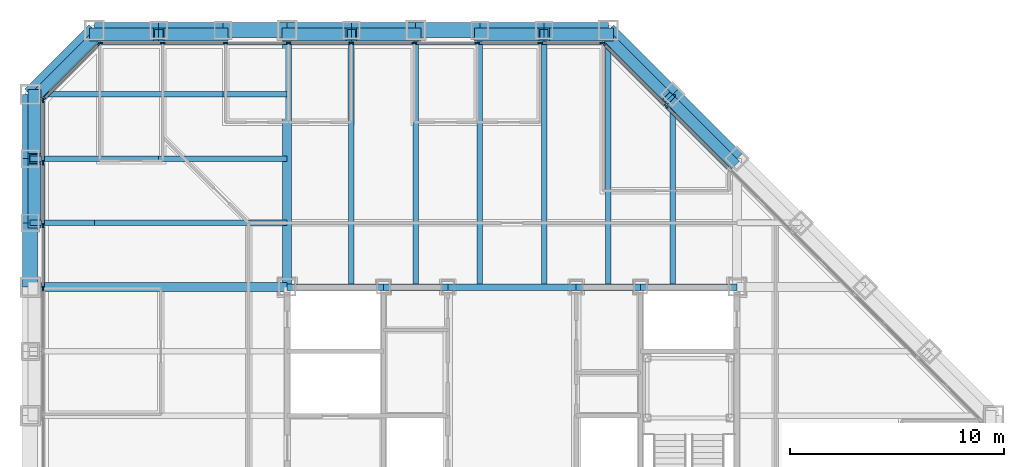
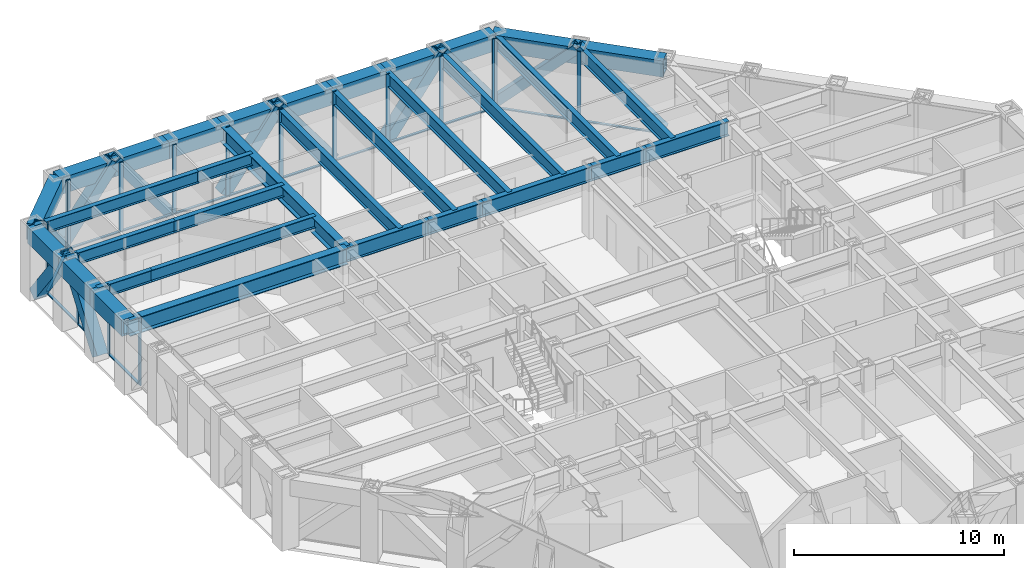
# One storey, part 7 of 17: 42 members, 33 beams, 4 elements without a shape of their own.
"""IFC4 building model written with IfcOpenShell, lengths in metres."""

from ifc_helpers import new_model, si_unit, direction, frame, origin, origin_2d, place, context, subcontext, project, spatial, rectangle, hollow_rectangle, i_section, extrude, material, layer, layer_set, material_profile, profile_set, type_object, element, aggregate, save


model = new_model("IFC4")

# Units and contexts
model_context = context("Model", 3, precision=1e-05, world=origin(), true_north=direction((0.0, 1.0)))
body_context = subcontext(model_context, "Body", "Model", "MODEL_VIEW")
ifc_project = project(units=[si_unit("LENGTHUNIT", "METRE"), si_unit("AREAUNIT", "SQUARE_METRE"), si_unit("VOLUMEUNIT", "CUBIC_METRE"), si_unit("PLANEANGLEUNIT", "RADIAN"), si_unit("MASSUNIT", "GRAM", prefix="KILO")], contexts=[model_context])

# Site, building, storey
site_placement = place(None, origin())
site = spatial("IfcSite", under=ifc_project, at=site_placement, CompositionType="ELEMENT")
building_placement = place(site_placement, origin())
building = spatial("IfcBuilding", under=site, at=building_placement, Name="Chuquiago Exchange Tower", CompositionType="ELEMENT")
storey_placement = place(building_placement, frame((0.0, 0.0, 169.800048828125)))
storey = spatial("IfcBuildingStorey", under=building, at=storey_placement, Name="L37", CompositionType="ELEMENT", Elevation=169.800048828125)

# Beams
ifc_material_1 = material(Name="Steel ASTM A992", Category="steel")
ifc_material_profile_1 = material_profile(ifc_material_1, i_section(OverallWidth=0.2919921875, OverallDepth=0.8583984375, WebThickness=0.01708984375, FlangeThickness=0.031005859375, at=origin_2d()), Name="W33X169")
ifc_profile_set_1 = profile_set([ifc_material_profile_1], Name="Steel ASTM A992")
beam_type_1 = type_object("IfcBeamType", Name="B3 W33X169", PredefinedType="BEAM", material=ifc_profile_set_1)
beam_1_placement = place(storey_placement, frame((12.0, 33.0, 3.610595703125), z_axis=(1.0, 0.0, 0.0), x_axis=(0.0, 1.0, 0.0)))
element("IfcBeam", 1, at=beam_1_placement, inside=storey, type_object=beam_type_1, Name="CB-L38-12_33-16.5_33", PredefinedType="BEAM", context=body_context, shape_type="SweptSolid", body=[
    extrude(i_section(OverallWidth=0.2919921875, OverallDepth=0.8583984375, WebThickness=0.01708984375, FlangeThickness=0.031005859375, at=origin_2d()), origin(), (0.0, 0.0, 1.0), 4.5),
])
beam_2_placement = place(storey_placement, frame((16.5, 33.0, 3.610595703125), z_axis=(1.0, 0.0, 0.0), x_axis=(0.0, 1.0, 0.0)))
element("IfcBeam", 2, at=beam_2_placement, inside=storey, type_object=beam_type_1, Name="CB-L38-16.5_33-19.5_33", PredefinedType="BEAM", context=body_context, shape_type="SweptSolid", body=[
    extrude(i_section(OverallWidth=0.2919921875, OverallDepth=0.8583984375, WebThickness=0.01708984375, FlangeThickness=0.031005859375, at=origin_2d()), origin(), (0.0, 0.0, 1.0), 3.0),
])
beam_3_placement = place(storey_placement, frame((19.5, 33.0, 3.610595703125), z_axis=(1.0, 0.0, 0.0), x_axis=(0.0, 1.0, 0.0)))
element("IfcBeam", 3, at=beam_3_placement, inside=storey, type_object=beam_type_1, Name="CB-L38-19.5_33-25.5_33", PredefinedType="BEAM", context=body_context, shape_type="SweptSolid", body=[
    extrude(i_section(OverallWidth=0.2919921875, OverallDepth=0.8583984375, WebThickness=0.01708984375, FlangeThickness=0.031005859375, at=origin_2d()), origin(), (0.0, 0.0, 1.0), 6.0),
])
beam_4_placement = place(storey_placement, frame((25.5, 33.0, 3.610595703125), z_axis=(1.0, 0.0, 0.0), x_axis=(0.0, 1.0, 0.0)))
element("IfcBeam", 4, at=beam_4_placement, inside=storey, type_object=beam_type_1, Name="CB-L38-25.5_33-28.5_33", PredefinedType="BEAM", context=body_context, shape_type="SweptSolid", body=[
    extrude(i_section(OverallWidth=0.2919921875, OverallDepth=0.8583984375, WebThickness=0.01708984375, FlangeThickness=0.031005859375, at=origin_2d()), origin(), (0.0, 0.0, 1.0), 3.0),
])
beam_5_placement = place(storey_placement, frame((28.5, 33.0, 3.610595703125), z_axis=(1.0, 0.0, 0.0), x_axis=(0.0, 1.0, 0.0)))
element("IfcBeam", 5, at=beam_5_placement, inside=storey, type_object=beam_type_1, Name="CB-L38-28.5_33-33_33", PredefinedType="BEAM", context=body_context, shape_type="SweptSolid", body=[
    extrude(i_section(OverallWidth=0.2919921875, OverallDepth=0.8583984375, WebThickness=0.01708984375, FlangeThickness=0.031005859375, at=origin_2d()), origin(), (0.0, 0.0, 1.0), 4.5),
])
ifc_material_2 = material(Name="Steel ASTM A992", Category="steel")
ifc_material_profile_2 = material_profile(ifc_material_2, i_section(OverallWidth=0.2666015625, OverallDepth=0.761962890625, WebThickness=0.014404296875, FlangeThickness=0.021484375, at=origin_2d()), Name="W30X116")
ifc_profile_set_2 = profile_set([ifc_material_profile_2], Name="Steel ASTM A992")
beam_type_2 = type_object("IfcBeamType", Name="B8 W30X116", PredefinedType="BEAM", material=ifc_profile_set_2)
for number, where, z_axis, x_axis, name in (
    (6, (15.0, 33.0, 3.658935546875), (0.0, 1.0, 0.0), (-1.0, 0.0, 0.0), "FB-L38-infill-15_33-15_45-0"),
    (7, (18.0, 33.0, 3.658935546875), (0.0, 1.0, 0.0), (-1.0, 0.0, 0.0), "FB-L38-infill-18_33-18_45-0"),
    (8, (21.0, 33.0, 3.658935546875), (0.0, 1.0, 0.0), (-1.0, 0.0, 0.0), "FB-L38-infill-21_33-21_45-0"),
    (9, (24.0, 33.0, 3.658935546875), (0.0, 1.0, 0.0), (-1.0, 0.0, 0.0), "FB-L38-infill-24_33-24_45-0"),
    (10, (27.0, 33.0, 3.658935546875), (0.0, 1.0, 0.0), (-1.0, 0.0, 0.0), "FB-L38-infill-27_33-27_45-0"),
):
    element("IfcBeam", number, at=place(storey_placement, frame(where, z_axis=z_axis, x_axis=x_axis)), inside=storey, type_object=beam_type_2, Name=name, PredefinedType="BEAM", context=body_context, shape_type="SweptSolid", body=[
        extrude(i_section(OverallWidth=0.2666015625, OverallDepth=0.761962890625, WebThickness=0.014404296875, FlangeThickness=0.021484375, at=origin_2d()), origin(), (0.0, 0.0, 1.0), 12.0),
    ])
beam_6_placement = place(storey_placement, frame((30.0, 33.0, 3.658935546875), z_axis=(0.0, 1.0, 0.0), x_axis=(-1.0, 0.0, 0.0)))
element("IfcBeam", 11, at=beam_6_placement, inside=storey, type_object=beam_type_2, Name="FB-L38-infill-30_33-30_42-0", PredefinedType="BEAM", context=body_context, shape_type="SweptSolid", body=[
    extrude(i_section(OverallWidth=0.2666015625, OverallDepth=0.761962890625, WebThickness=0.014404296875, FlangeThickness=0.021484375, at=origin_2d()), origin(), (0.0, 0.0, 1.0), 9.0),
])
ifc_material_3 = material(Name="Steel ASTM A992", Category="steel")
ifc_material_profile_3 = material_profile(ifc_material_3, i_section(OverallWidth=0.256591796875, OverallDepth=0.693359375, WebThickness=0.014404296875, FlangeThickness=0.023681640625, at=origin_2d()), Name="W27X114")
ifc_profile_set_3 = profile_set([ifc_material_profile_3], Name="Steel ASTM A992")
beam_type_3 = type_object("IfcBeamType", Name="B9 W27X114", PredefinedType="BEAM", material=ifc_profile_set_3)
beam_7_placement = place(storey_placement, frame((12.0, 36.0, 3.693359375), z_axis=(-1.0, 0.0, 0.0), x_axis=(0.0, -1.0, 0.0)))
element("IfcBeam", 12, at=beam_7_placement, inside=storey, type_object=beam_type_3, Name="FB-L38-corner-12_36--0_36-0", PredefinedType="BEAM", context=body_context, shape_type="SweptSolid", body=[
    extrude(i_section(OverallWidth=0.256591796875, OverallDepth=0.693359375, WebThickness=0.014404296875, FlangeThickness=0.023681640625, at=origin_2d()), origin(), (0.0, 0.0, 1.0), 9.0),
])
beam_8_placement = place(storey_placement, frame((3.0, 36.0, 3.693359375), z_axis=(-1.0, 0.0, 0.0), x_axis=(0.0, -1.0, 0.0)))
element("IfcBeam", 13, at=beam_8_placement, inside=storey, type_object=beam_type_3, Name="FB-L38-corner-12_36--0_36-1", PredefinedType="BEAM", context=body_context, shape_type="SweptSolid", body=[
    extrude(i_section(OverallWidth=0.256591796875, OverallDepth=0.693359375, WebThickness=0.014404296875, FlangeThickness=0.023681640625, at=origin_2d()), origin(), (0.0, 0.0, 1.0), 3.0),
])
for number, where, z_axis, x_axis, name in (
    (14, (12.0, 39.0, 3.693359375), (-1.0, 0.0, 0.0), (0.0, -1.0, 0.0), "FB-L38-corner-12_39--0_39-0"),
    (15, (6.0, 39.0, 3.693359375), (-1.0, 0.0, 0.0), (0.0, -1.0, 0.0), "FB-L38-corner-12_39--0_39-1"),
):
    element("IfcBeam", number, at=place(storey_placement, frame(where, z_axis=z_axis, x_axis=x_axis)), inside=storey, type_object=beam_type_3, Name=name, PredefinedType="BEAM", context=body_context, shape_type="SweptSolid", body=[
        extrude(i_section(OverallWidth=0.256591796875, OverallDepth=0.693359375, WebThickness=0.014404296875, FlangeThickness=0.023681640625, at=origin_2d()), origin(), (0.0, 0.0, 1.0), 6.0),
    ])
beam_9_placement = place(storey_placement, frame((12.0, 42.0, 3.693359375), z_axis=(-1.0, 0.0, 0.0), x_axis=(0.0, -1.0, 0.0)))
element("IfcBeam", 16, at=beam_9_placement, inside=storey, type_object=beam_type_3, Name="FB-L38-corner-12_42--0_42-0", PredefinedType="BEAM", context=body_context, shape_type="SweptSolid", body=[
    extrude(i_section(OverallWidth=0.256591796875, OverallDepth=0.693359375, WebThickness=0.014404296875, FlangeThickness=0.023681640625, at=origin_2d()), origin(), (0.0, 0.0, 1.0), 3.0),
])
beam_10_placement = place(storey_placement, frame((9.0, 42.0, 3.693359375), z_axis=(-1.0, 0.0, 0.0), x_axis=(0.0, -1.0, 0.0)))
element("IfcBeam", 17, at=beam_10_placement, inside=storey, type_object=beam_type_3, Name="FB-L38-corner-12_42--0_42-1", PredefinedType="BEAM", context=body_context, shape_type="SweptSolid", body=[
    extrude(i_section(OverallWidth=0.256591796875, OverallDepth=0.693359375, WebThickness=0.014404296875, FlangeThickness=0.023681640625, at=origin_2d()), origin(), (0.0, 0.0, 1.0), 9.0),
])

# Curtain wall, members
ifc_material_4 = material(Name="Aluminium curtain wall system", Category="aluminium")
ifc_layer_1 = layer(ifc_material_4, 0.22509765625)
ifc_layer_set_1 = layer_set([ifc_layer_1], Name="CW2 office curtain wall")
curtain_wall_type_1 = type_object("IfcCurtainWallType", Name="CW2 office curtain wall", PredefinedType="NOTDEFINED", material=ifc_layer_set_1)
curtain_wall_1_placement = place(storey_placement, origin())
curtain_wall_1 = element("IfcCurtainWall", 18, at=curtain_wall_1_placement, inside=storey, type_object=curtain_wall_type_1, Name="CW2 curtain wall L37", PredefinedType="NOTDEFINED")
ifc_material_5 = material(Name="Aluminium mullion, pale anodised", Category="aluminium")
ifc_material_profile_4 = material_profile(ifc_material_5, rectangle(XDim=0.06494140625, YDim=0.22509765625, at=origin_2d()), Name="AL 65x225")
ifc_profile_set_4 = profile_set([ifc_material_profile_4], Name="Aluminium mullion, pale anodised")
member_type_1 = type_object("IfcMemberType", Name="CW2-M mullion 65x225", PredefinedType="MULLION", material=ifc_profile_set_4)
member_1_placement = place(storey_placement, frame((26.718994140625, 44.39990234375, 0.0), z_axis=(0.0, 0.0, 1.0), x_axis=(0.0, -1.0, 0.0)))
member_1 = element("IfcMember", 19, at=member_1_placement, type_object=member_type_1, Name="CW2 mullion 1", PredefinedType="MULLION", context=body_context, shape_type="SweptSolid", body=[
    extrude(rectangle(XDim=0.06494140625, YDim=0.22509765625, at=origin_2d()), origin(), (0.0, 0.0, 1.0), 4.0400390625),
])
member_2_placement = place(storey_placement, frame((23.813720703125, 44.39990234375, 0.0), z_axis=(0.0, 0.0, 1.0), x_axis=(0.0, -1.0, 0.0)))
member_2 = element("IfcMember", 20, at=member_2_placement, type_object=member_type_1, Name="CW2 mullion 2", PredefinedType="MULLION", context=body_context, shape_type="SweptSolid", body=[
    extrude(rectangle(XDim=0.06494140625, YDim=0.22509765625, at=origin_2d()), origin(), (0.0, 0.0, 1.0), 4.0400390625),
])
member_3_placement = place(storey_placement, frame((20.875732421875, 44.39990234375, 0.0), z_axis=(0.0, 0.0, 1.0), x_axis=(0.0, -1.0, 0.0)))
member_3 = element("IfcMember", 21, at=member_3_placement, type_object=member_type_1, Name="CW2 mullion 3", PredefinedType="MULLION", context=body_context, shape_type="SweptSolid", body=[
    extrude(rectangle(XDim=0.06494140625, YDim=0.22509765625, at=origin_2d()), origin(), (0.0, 0.0, 1.0), 4.0400390625),
])
member_4_placement = place(storey_placement, frame((17.93798828125, 44.39990234375, 0.0), z_axis=(0.0, 0.0, 1.0), x_axis=(0.0, -1.0, 0.0)))
member_4 = element("IfcMember", 22, at=member_4_placement, type_object=member_type_1, Name="CW2 mullion 4", PredefinedType="MULLION", context=body_context, shape_type="SweptSolid", body=[
    extrude(rectangle(XDim=0.06494140625, YDim=0.22509765625, at=origin_2d()), origin(), (0.0, 0.0, 1.0), 4.0400390625),
])
member_5_placement = place(storey_placement, frame((15.0, 44.39990234375, 0.0), z_axis=(0.0, 0.0, 1.0), x_axis=(0.0, -1.0, 0.0)))
member_5 = element("IfcMember", 23, at=member_5_placement, type_object=member_type_1, Name="CW2 mullion 5", PredefinedType="MULLION", context=body_context, shape_type="SweptSolid", body=[
    extrude(rectangle(XDim=0.06494140625, YDim=0.22509765625, at=origin_2d()), origin(), (0.0, 0.0, 1.0), 4.0400390625),
])
member_6_placement = place(storey_placement, frame((12.06201171875, 44.39990234375, 0.0), z_axis=(0.0, 0.0, 1.0), x_axis=(0.0, -1.0, 0.0)))
member_6 = element("IfcMember", 24, at=member_6_placement, type_object=member_type_1, Name="CW2 mullion 6", PredefinedType="MULLION", context=body_context, shape_type="SweptSolid", body=[
    extrude(rectangle(XDim=0.06494140625, YDim=0.22509765625, at=origin_2d()), origin(), (0.0, 0.0, 1.0), 4.0400390625),
])
member_7_placement = place(storey_placement, frame((9.124267578125, 44.39990234375, 0.0), z_axis=(0.0, 0.0, 1.0), x_axis=(0.0, -1.0, 0.0)))
member_7 = element("IfcMember", 25, at=member_7_placement, type_object=member_type_1, Name="CW2 mullion 7", PredefinedType="MULLION", context=body_context, shape_type="SweptSolid", body=[
    extrude(rectangle(XDim=0.06494140625, YDim=0.22509765625, at=origin_2d()), origin(), (0.0, 0.0, 1.0), 4.0400390625),
])
member_8_placement = place(storey_placement, frame((6.186279296875, 44.39990234375, 0.0), z_axis=(0.0, 0.0, 1.0), x_axis=(0.0, -1.0, 0.0)))
member_8 = element("IfcMember", 26, at=member_8_placement, type_object=member_type_1, Name="CW2 mullion 8", PredefinedType="MULLION", context=body_context, shape_type="SweptSolid", body=[
    extrude(rectangle(XDim=0.06494140625, YDim=0.22509765625, at=origin_2d()), origin(), (0.0, 0.0, 1.0), 4.0400390625),
])
member_9_placement = place(storey_placement, frame((3.281005859375, 44.39990234375, 0.0), z_axis=(0.0, 0.0, 1.0), x_axis=(0.0, -1.0, 0.0)))
member_9 = element("IfcMember", 27, at=member_9_placement, type_object=member_type_1, Name="CW2 mullion 9", PredefinedType="MULLION", context=body_context, shape_type="SweptSolid", body=[
    extrude(rectangle(XDim=0.06494140625, YDim=0.22509765625, at=origin_2d()), origin(), (0.0, 0.0, 1.0), 4.0400390625),
])

curtain_wall_2_placement = place(storey_placement, origin())
curtain_wall_2 = element("IfcCurtainWall", 28, at=curtain_wall_2_placement, inside=storey, type_object=curtain_wall_type_1, Name="CW2 curtain wall L37", PredefinedType="NOTDEFINED")
member_10_placement = place(storey_placement, frame((0.60009765625, 41.718994140625, 0.0), z_axis=(0.0, 0.0, 1.0), x_axis=(1.0, 0.0, 0.0)))
member_10 = element("IfcMember", 29, at=member_10_placement, type_object=member_type_1, Name="CW2 mullion 1", PredefinedType="MULLION", context=body_context, shape_type="SweptSolid", body=[
    extrude(rectangle(XDim=0.06494140625, YDim=0.22509765625, at=origin_2d()), origin(), (0.0, 0.0, 1.0), 4.0400390625),
])
member_11_placement = place(storey_placement, frame((0.60009765625, 38.813720703125, 0.0), z_axis=(0.0, 0.0, 1.0), x_axis=(1.0, 0.0, 0.0)))
member_11 = element("IfcMember", 30, at=member_11_placement, type_object=member_type_1, Name="CW2 mullion 2", PredefinedType="MULLION", context=body_context, shape_type="SweptSolid", body=[
    extrude(rectangle(XDim=0.06494140625, YDim=0.22509765625, at=origin_2d()), origin(), (0.0, 0.0, 1.0), 4.0400390625),
])
member_12_placement = place(storey_placement, frame((0.60009765625, 35.875732421875, 0.0), z_axis=(0.0, 0.0, 1.0), x_axis=(1.0, 0.0, 0.0)))
member_12 = element("IfcMember", 31, at=member_12_placement, type_object=member_type_1, Name="CW2 mullion 3", PredefinedType="MULLION", context=body_context, shape_type="SweptSolid", body=[
    extrude(rectangle(XDim=0.06494140625, YDim=0.22509765625, at=origin_2d()), origin(), (0.0, 0.0, 1.0), 4.0400390625),
])
member_13_placement = place(storey_placement, frame((0.60009765625, 32.93798828125, 0.0), z_axis=(0.0, 0.0, 1.0), x_axis=(1.0, 0.0, 0.0)))
member_13 = element("IfcMember", 32, at=member_13_placement, type_object=member_type_1, Name="CW2 mullion 4", PredefinedType="MULLION", context=body_context, shape_type="SweptSolid", body=[
    extrude(rectangle(XDim=0.06494140625, YDim=0.22509765625, at=origin_2d()), origin(), (0.0, 0.0, 1.0), 4.0400390625),
])

# Member
ifc_material_6 = material(Name="Aluminium transom, pale anodised", Category="aluminium")
ifc_material_profile_5 = material_profile(ifc_material_6, rectangle(XDim=0.139892578125, YDim=0.06494140625, at=origin_2d()), Name="AL 140x65")
ifc_profile_set_5 = profile_set([ifc_material_profile_5], Name="Aluminium transom, pale anodised")
member_type_2 = type_object("IfcMemberType", Name="CW2-T transom 65x140", PredefinedType="MULLION", material=ifc_profile_set_5)
member_14_placement = place(storey_placement, frame((26.6865234375, 44.39990234375, 0.032470703125), z_axis=(-1.0, 0.0, 0.0), x_axis=(0.0, -1.0, 0.0)))
member_14 = element("IfcMember", 33, at=member_14_placement, type_object=member_type_2, Name="CW2 transom 1.1", PredefinedType="MULLION", context=body_context, shape_type="SweptSolid", body=[
    extrude(rectangle(XDim=0.139892578125, YDim=0.06494140625, at=origin_2d()), origin(), (0.0, 0.0, 1.0), 2.84033203125),
])

member_15_placement = place(storey_placement, frame((23.781005859375, 44.39990234375, 0.032470703125), z_axis=(-1.0, 0.0, 0.0), x_axis=(0.0, -1.0, 0.0)))
member_15 = element("IfcMember", 34, at=member_15_placement, type_object=member_type_2, Name="CW2 transom 2.1", PredefinedType="MULLION", context=body_context, shape_type="SweptSolid", body=[
    extrude(rectangle(XDim=0.139892578125, YDim=0.06494140625, at=origin_2d()), origin(), (0.0, 0.0, 1.0), 2.872802734375),
])

member_16_placement = place(storey_placement, frame((20.84326171875, 44.39990234375, 0.032470703125), z_axis=(-1.0, 0.0, 0.0), x_axis=(0.0, -1.0, 0.0)))
member_16 = element("IfcMember", 35, at=member_16_placement, type_object=member_type_2, Name="CW2 transom 3.1", PredefinedType="MULLION", context=body_context, shape_type="SweptSolid", body=[
    extrude(rectangle(XDim=0.139892578125, YDim=0.06494140625, at=origin_2d()), origin(), (0.0, 0.0, 1.0), 2.872802734375),
])

member_17_placement = place(storey_placement, frame((17.9052734375, 44.39990234375, 0.032470703125), z_axis=(-1.0, 0.0, 0.0), x_axis=(0.0, -1.0, 0.0)))
member_17 = element("IfcMember", 36, at=member_17_placement, type_object=member_type_2, Name="CW2 transom 4.1", PredefinedType="MULLION", context=body_context, shape_type="SweptSolid", body=[
    extrude(rectangle(XDim=0.139892578125, YDim=0.06494140625, at=origin_2d()), origin(), (0.0, 0.0, 1.0), 2.872802734375),
])

member_18_placement = place(storey_placement, frame((14.967529296875, 44.39990234375, 0.032470703125), z_axis=(-1.0, 0.0, 0.0), x_axis=(0.0, -1.0, 0.0)))
member_18 = element("IfcMember", 37, at=member_18_placement, type_object=member_type_2, Name="CW2 transom 5.1", PredefinedType="MULLION", context=body_context, shape_type="SweptSolid", body=[
    extrude(rectangle(XDim=0.139892578125, YDim=0.06494140625, at=origin_2d()), origin(), (0.0, 0.0, 1.0), 2.872802734375),
])

member_19_placement = place(storey_placement, frame((12.029541015625, 44.39990234375, 0.032470703125), z_axis=(-1.0, 0.0, 0.0), x_axis=(0.0, -1.0, 0.0)))
member_19 = element("IfcMember", 38, at=member_19_placement, type_object=member_type_2, Name="CW2 transom 6.1", PredefinedType="MULLION", context=body_context, shape_type="SweptSolid", body=[
    extrude(rectangle(XDim=0.139892578125, YDim=0.06494140625, at=origin_2d()), origin(), (0.0, 0.0, 1.0), 2.872802734375),
])

member_20_placement = place(storey_placement, frame((9.091796875, 44.39990234375, 0.032470703125), z_axis=(-1.0, 0.0, 0.0), x_axis=(0.0, -1.0, 0.0)))
member_20 = element("IfcMember", 39, at=member_20_placement, type_object=member_type_2, Name="CW2 transom 7.1", PredefinedType="MULLION", context=body_context, shape_type="SweptSolid", body=[
    extrude(rectangle(XDim=0.139892578125, YDim=0.06494140625, at=origin_2d()), origin(), (0.0, 0.0, 1.0), 2.872802734375),
])

member_21_placement = place(storey_placement, frame((6.15380859375, 44.39990234375, 0.032470703125), z_axis=(-1.0, 0.0, 0.0), x_axis=(0.0, -1.0, 0.0)))
member_21 = element("IfcMember", 40, at=member_21_placement, type_object=member_type_2, Name="CW2 transom 8.1", PredefinedType="MULLION", context=body_context, shape_type="SweptSolid", body=[
    extrude(rectangle(XDim=0.139892578125, YDim=0.06494140625, at=origin_2d()), origin(), (0.0, 0.0, 1.0), 2.84033203125),
])

aggregate(curtain_wall_1, [member_1, member_2, member_3, member_4, member_5, member_6, member_7, member_8, member_9, member_14, member_15, member_16, member_17, member_18, member_19, member_20, member_21])

member_22_placement = place(storey_placement, frame((0.60009765625, 41.6865234375, 0.032470703125), z_axis=(0.0, -1.0, 0.0), x_axis=(1.0, 0.0, 0.0)))
member_22 = element("IfcMember", 41, at=member_22_placement, type_object=member_type_2, Name="CW2 transom 1.1", PredefinedType="MULLION", context=body_context, shape_type="SweptSolid", body=[
    extrude(rectangle(XDim=0.139892578125, YDim=0.06494140625, at=origin_2d()), origin(), (0.0, 0.0, 1.0), 2.84033203125),
])

member_23_placement = place(storey_placement, frame((0.60009765625, 38.781005859375, 0.032470703125), z_axis=(0.0, -1.0, 0.0), x_axis=(1.0, 0.0, 0.0)))
member_23 = element("IfcMember", 42, at=member_23_placement, type_object=member_type_2, Name="CW2 transom 2.1", PredefinedType="MULLION", context=body_context, shape_type="SweptSolid", body=[
    extrude(rectangle(XDim=0.139892578125, YDim=0.06494140625, at=origin_2d()), origin(), (0.0, 0.0, 1.0), 2.872802734375),
])

member_24_placement = place(storey_placement, frame((0.60009765625, 35.84326171875, 0.032470703125), z_axis=(0.0, -1.0, 0.0), x_axis=(1.0, 0.0, 0.0)))
member_24 = element("IfcMember", 43, at=member_24_placement, type_object=member_type_2, Name="CW2 transom 3.1", PredefinedType="MULLION", context=body_context, shape_type="SweptSolid", body=[
    extrude(rectangle(XDim=0.139892578125, YDim=0.06494140625, at=origin_2d()), origin(), (0.0, 0.0, 1.0), 2.872802734375),
])

aggregate(curtain_wall_2, [member_10, member_11, member_12, member_13, member_22, member_23, member_24])

# Curtain wall, members
ifc_material_7 = material(Name="Aluminium curtain wall system", Category="aluminium")
ifc_layer_2 = layer(ifc_material_7, 0.199951171875)
ifc_layer_set_2 = layer_set([ifc_layer_2], Name="CW3 facet curtain wall")
curtain_wall_type_2 = type_object("IfcCurtainWallType", Name="CW3 facet curtain wall", PredefinedType="NOTDEFINED", material=ifc_layer_set_2)
curtain_wall_3_placement = place(storey_placement, origin())
curtain_wall_3 = element("IfcCurtainWall", 44, at=curtain_wall_3_placement, inside=storey, type_object=curtain_wall_type_2, Name="CW3 curtain wall L37", PredefinedType="NOTDEFINED")
ifc_material_8 = material(Name="Aluminium mullion, pale anodised", Category="aluminium")
ifc_material_profile_6 = material_profile(ifc_material_8, rectangle(XDim=0.06494140625, YDim=0.199951171875, at=origin_2d()), Name="AL 65x200")
ifc_profile_set_6 = profile_set([ifc_material_profile_6], Name="Aluminium mullion, pale anodised")
member_type_3 = type_object("IfcMemberType", Name="CW3-M mullion 65x200", PredefinedType="MULLION", material=ifc_profile_set_6)
member_25_placement = place(storey_placement, frame((29.69287109375, 41.45849609375, 0.0), z_axis=(0.0, 0.0, 1.0), x_axis=(-0.707106781187, -0.707106781187, 0.0)))
member_25 = element("IfcMember", 45, at=member_25_placement, type_object=member_type_3, Name="CW3 mullion 6", PredefinedType="MULLION", context=body_context, shape_type="SweptSolid", body=[
    extrude(rectangle(XDim=0.06494140625, YDim=0.199951171875, at=origin_2d()), origin(), (0.0, 0.0, 1.0), 4.0400390625),
])
member_26_placement = place(storey_placement, frame((26.7744140625, 44.376953125, 0.0), z_axis=(0.0, 0.0, 1.0), x_axis=(-0.707106781187, -0.707106781187, 0.0)))
member_26 = element("IfcMember", 46, at=member_26_placement, type_object=member_type_3, Name="CW3 mullion 7", PredefinedType="MULLION", context=body_context, shape_type="SweptSolid", body=[
    extrude(rectangle(XDim=0.06494140625, YDim=0.199951171875, at=origin_2d()), origin(), (0.0, 0.0, 1.0), 4.0400390625),
])

curtain_wall_4_placement = place(storey_placement, origin())
curtain_wall_4 = element("IfcCurtainWall", 47, at=curtain_wall_4_placement, inside=storey, type_object=curtain_wall_type_2, Name="CW3 curtain wall L37", PredefinedType="NOTDEFINED")
member_27_placement = place(storey_placement, frame((3.2255859375, 44.376953125, 0.0), z_axis=(0.0, 0.0, 1.0), x_axis=(0.707106781187, -0.707106781187, 0.0)))
member_27 = element("IfcMember", 48, at=member_27_placement, type_object=member_type_3, Name="CW3 mullion 1", PredefinedType="MULLION", context=body_context, shape_type="SweptSolid", body=[
    extrude(rectangle(XDim=0.06494140625, YDim=0.199951171875, at=origin_2d()), origin(), (0.0, 0.0, 1.0), 4.0400390625),
])
member_28_placement = place(storey_placement, frame((0.623046875, 41.7744140625, 0.0), z_axis=(0.0, 0.0, 1.0), x_axis=(0.707106781187, -0.707106781187, 0.0)))
member_28 = element("IfcMember", 49, at=member_28_placement, type_object=member_type_3, Name="CW3 mullion 2", PredefinedType="MULLION", context=body_context, shape_type="SweptSolid", body=[
    extrude(rectangle(XDim=0.06494140625, YDim=0.199951171875, at=origin_2d()), origin(), (0.0, 0.0, 1.0), 4.0400390625),
])

# Member
ifc_material_9 = material(Name="Aluminium transom, pale anodised", Category="aluminium")
ifc_material_profile_7 = material_profile(ifc_material_9, rectangle(XDim=0.139892578125, YDim=0.06494140625, at=origin_2d()), Name="AL 140x65")
ifc_profile_set_7 = profile_set([ifc_material_profile_7], Name="Aluminium transom, pale anodised")
member_type_4 = type_object("IfcMemberType", Name="CW3-T transom 65x140", PredefinedType="MULLION", material=ifc_profile_set_7)
member_29_placement = place(storey_placement, frame((32.611328125, 38.5400390625, 0.032470703125), z_axis=(-0.707106781187, 0.707106781187, 0.0), x_axis=(-0.707106781187, -0.707106781187, 0.0)))
member_29 = element("IfcMember", 50, at=member_29_placement, type_object=member_type_4, Name="CW3 transom 5.1", PredefinedType="MULLION", context=body_context, shape_type="SweptSolid", body=[
    extrude(rectangle(XDim=0.139892578125, YDim=0.06494140625, at=origin_2d()), origin(), (0.0, 0.0, 1.0), 4.094970703125),
])

member_30_placement = place(storey_placement, frame((29.669921875, 41.4814453125, 0.032470703125), z_axis=(-0.707106781187, 0.707106781187, 0.0), x_axis=(-0.707106781187, -0.707106781187, 0.0)))
member_30 = element("IfcMember", 51, at=member_30_placement, type_object=member_type_4, Name="CW3 transom 6.1", PredefinedType="MULLION", context=body_context, shape_type="SweptSolid", body=[
    extrude(rectangle(XDim=0.139892578125, YDim=0.06494140625, at=origin_2d()), origin(), (0.0, 0.0, 1.0), 4.0625),
])

aggregate(curtain_wall_3, [member_25, member_26, member_29, member_30])

member_31_placement = place(storey_placement, frame((3.20263671875, 44.35400390625, 0.032470703125), z_axis=(-0.707106781187, -0.707106781187, 0.0), x_axis=(0.707106781187, -0.707106781187, 0.0)))
member_31 = element("IfcMember", 52, at=member_31_placement, type_object=member_type_4, Name="CW3 transom 1.1", PredefinedType="MULLION", context=body_context, shape_type="SweptSolid", body=[
    extrude(rectangle(XDim=0.139892578125, YDim=0.06494140625, at=origin_2d()), origin(), (0.0, 0.0, 1.0), 3.61572265625),
])

aggregate(curtain_wall_4, [member_27, member_28, member_31])

# Beams
ifc_material_10 = material(Name="Steel ASTM A992", Category="steel")
ifc_material_profile_8 = material_profile(ifc_material_10, i_section(OverallWidth=0.424072265625, OverallDepth=0.947509765625, WebThickness=0.02392578125, FlangeThickness=0.042724609375, at=origin_2d()), Name="W36X302")
ifc_profile_set_8 = profile_set([ifc_material_profile_8], Name="Steel ASTM A992")
beam_type_4 = type_object("IfcBeamType", Name="G4 W36X302", PredefinedType="BEAM", material=ifc_profile_set_8)
for number, where, z_axis, x_axis, name in (
    (53, (12.0, 33.0, 3.566162109375), (0.0, 1.0, 0.0), (-1.0, 0.0, 0.0), "FB-L38-girder-12_33-12_45-0"),
    (54, (12.0, 33.0, 3.566162109375), (-1.0, 0.0, 0.0), (0.0, -1.0, 0.0), "FB-L38-girder-12_33--0_33-0"),
):
    element("IfcBeam", number, at=place(storey_placement, frame(where, z_axis=z_axis, x_axis=x_axis)), inside=storey, type_object=beam_type_4, Name=name, PredefinedType="BEAM", context=body_context, shape_type="SweptSolid", body=[
        extrude(i_section(OverallWidth=0.424072265625, OverallDepth=0.947509765625, WebThickness=0.02392578125, FlangeThickness=0.042724609375, at=origin_2d()), origin(), (0.0, 0.0, 1.0), 12.0),
    ])

# Members
ifc_material_11 = material(Name="Steel ASTM A500 Grade C", Category="steel")
ifc_material_profile_9 = material_profile(ifc_material_11, hollow_rectangle(XDim=0.508056640625, YDim=0.508056640625, WallThickness=0.017822265625, at=origin_2d()), Name="HSS20X20X3/4")
ifc_profile_set_9 = profile_set([ifc_material_profile_9], Name="Steel ASTM A500 Grade C")
member_type_5 = type_object("IfcMemberType", Name="LB1 HSS20X20X3/4", PredefinedType="BRACE", material=ifc_profile_set_9)
for number, where, z_axis, x_axis, name in (
    (55, (32.822509765625, 38.822509765625, 0.0), (-0.512077265487, 0.512077265487, 0.689604051861), (-0.707106781187, -0.707106781187, 0.0), "LB-L37-33_39-30_42"),
    (56, (26.822509765625, 44.822509765625, 0.0), (0.512077265487, -0.512077265487, 0.689604051861), (0.707106781187, 0.707106781187, 0.0), "LB-L37-30_42-27_45"),
    (57, (3.177490234375, 44.822509765625, 0.0), (-0.512077265487, -0.512077265487, 0.689604051861), (0.707106781187, -0.707106781187, 0.0), "LB-L37-3_45-0_42"),
):
    element("IfcMember", number, at=place(storey_placement, frame(where, z_axis=z_axis, x_axis=x_axis)), inside=storey, type_object=member_type_5, Name=name, PredefinedType="BRACE", context=body_context, shape_type="SweptSolid", body=[
        extrude(hollow_rectangle(XDim=0.508056640625, YDim=0.508056640625, WallThickness=0.017822265625, at=origin_2d()), origin(), (0.0, 0.0, 1.0), 5.8583984375),
    ])
ifc_material_12 = material(Name="Steel ASTM A572 Grade 50", Category="steel")
ifc_material_profile_10 = material_profile(ifc_material_12, hollow_rectangle(XDim=0.60009765625, YDim=0.60009765625, WallThickness=0.06005859375, at=origin_2d()), Name="BOX600X600X60")
ifc_profile_set_10 = profile_set([ifc_material_profile_10], Name="Steel ASTM A572 Grade 50")
member_type_6 = type_object("IfcMemberType", Name="MB2 BOX600X600X60", PredefinedType="BRACE", material=ifc_profile_set_10)
for number, where, z_axis, x_axis, name in (
    (58, (27.0, 44.794921875, 0.0), (-0.596173923302, 0.0, 0.802855312728), (0.0, -1.0, 0.0), "Mega diagonal L37 N face"),
    (59, (21.0, 44.794921875, 0.0), (0.596173923302, 0.0, 0.802855312728), (0.0, 1.0, 0.0), "Mega diagonal L37 N face"),
    (60, (18.0, 44.794921875, 0.0), (-0.596173923302, 0.0, 0.802855312728), (0.0, -1.0, 0.0), "Mega diagonal L37 N face"),
    (61, (12.0, 44.794921875, 0.0), (0.596173923302, 0.0, 0.802855312728), (0.0, 1.0, 0.0), "Mega diagonal L37 N face"),
    (62, (9.0, 44.794921875, 0.0), (-0.596173923302, 0.0, 0.802855312728), (0.0, -1.0, 0.0), "Mega diagonal L37 N face"),
    (63, (3.0, 44.794921875, 0.0), (0.596173923302, 0.0, 0.802855312728), (0.0, 1.0, 0.0), "Mega diagonal L37 N face"),
    (64, (0.205078125, 42.0, 0.0), (0.0, -0.596173923302, 0.802855312728), (1.0, 0.0, 0.0), "Mega diagonal L37 W face"),
    (65, (0.205078125, 36.0, 0.0), (0.0, 0.596173923302, 0.802855312728), (-1.0, 0.0, 0.0), "Mega diagonal L37 W face"),
):
    element("IfcMember", number, at=place(storey_placement, frame(where, z_axis=z_axis, x_axis=x_axis)), inside=storey, type_object=member_type_6, Name=name, PredefinedType="BRACE", context=body_context, shape_type="SweptSolid", body=[
        extrude(hollow_rectangle(XDim=0.60009765625, YDim=0.60009765625, WallThickness=0.06005859375, at=origin_2d()), origin(), (0.0, 0.0, 1.0), 5.031982421875),
    ])

# Beams
ifc_material_13 = material(Name="Steel ASTM A572 Grade 50", Category="steel")
ifc_material_profile_11 = material_profile(ifc_material_13, hollow_rectangle(XDim=0.699951171875, YDim=0.949951171875, WallThickness=0.10009765625, at=origin_2d()), Name="BOX950X700X100")
ifc_profile_set_11 = profile_set([ifc_material_profile_11], Name="Steel ASTM A572 Grade 50")
beam_type_5 = type_object("IfcBeamType", Name="SP5 BOX950X700X100", PredefinedType="SPANDREL", material=ifc_profile_set_11)
for number, where, z_axis, x_axis, name in (
    (66, (33.0, 39.0, 3.56494140625), (-0.707106781187, 0.707106781187, 0.0), (-0.707106781187, -0.707106781187, 0.0), "SPB-L38-33_39-30_42"),
    (67, (30.0, 42.0, 3.56494140625), (-0.707106781187, 0.707106781187, 0.0), (-0.707106781187, -0.707106781187, 0.0), "SPB-L38-30_42-27_45"),
):
    element("IfcBeam", number, at=place(storey_placement, frame(where, z_axis=z_axis, x_axis=x_axis)), inside=storey, type_object=beam_type_5, Name=name, PredefinedType="SPANDREL", context=body_context, shape_type="SweptSolid", body=[
        extrude(hollow_rectangle(XDim=0.699951171875, YDim=0.949951171875, WallThickness=0.10009765625, at=origin_2d()), origin(), (0.0, 0.0, 1.0), 4.24267578125),
    ])
for number, where, z_axis, x_axis, name in (
    (68, (27.0, 45.0, 3.56494140625), (-1.0, 0.0, 0.0), (0.0, -1.0, 0.0), "SPB-L38-27_45-24_45"),
    (69, (24.0, 45.0, 3.56494140625), (-1.0, 0.0, 0.0), (0.0, -1.0, 0.0), "SPB-L38-24_45-21_45"),
    (70, (21.0, 45.0, 3.56494140625), (-1.0, 0.0, 0.0), (0.0, -1.0, 0.0), "SPB-L38-21_45-18_45"),
    (71, (18.0, 45.0, 3.56494140625), (-1.0, 0.0, 0.0), (0.0, -1.0, 0.0), "SPB-L38-18_45-15_45"),
    (72, (15.0, 45.0, 3.56494140625), (-1.0, 0.0, 0.0), (0.0, -1.0, 0.0), "SPB-L38-15_45-12_45"),
    (73, (12.0, 45.0, 3.56494140625), (-1.0, 0.0, 0.0), (0.0, -1.0, 0.0), "SPB-L38-12_45-9_45"),
    (74, (9.0, 45.0, 3.56494140625), (-1.0, 0.0, 0.0), (0.0, -1.0, 0.0), "SPB-L38-9_45-6_45"),
    (75, (6.0, 45.0, 3.56494140625), (-1.0, 0.0, 0.0), (0.0, -1.0, 0.0), "SPB-L38-6_45-3_45"),
):
    element("IfcBeam", number, at=place(storey_placement, frame(where, z_axis=z_axis, x_axis=x_axis)), inside=storey, type_object=beam_type_5, Name=name, PredefinedType="SPANDREL", context=body_context, shape_type="SweptSolid", body=[
        extrude(hollow_rectangle(XDim=0.699951171875, YDim=0.949951171875, WallThickness=0.10009765625, at=origin_2d()), origin(), (0.0, 0.0, 1.0), 3.0),
    ])
beam_11_placement = place(storey_placement, frame((3.0, 45.0, 3.56494140625), z_axis=(-0.707106781187, -0.707106781187, 0.0), x_axis=(0.707106781187, -0.707106781187, 0.0)))
element("IfcBeam", 76, at=beam_11_placement, inside=storey, type_object=beam_type_5, Name="SPB-L38-3_45-0_42", PredefinedType="SPANDREL", context=body_context, shape_type="SweptSolid", body=[
    extrude(hollow_rectangle(XDim=0.699951171875, YDim=0.949951171875, WallThickness=0.10009765625, at=origin_2d()), origin(), (0.0, 0.0, 1.0), 4.24267578125),
])
for number, where, z_axis, x_axis, name in (
    (77, (0.0, 42.0, 3.56494140625), (0.0, -1.0, 0.0), (1.0, 0.0, 0.0), "SPB-L38-0_42-0_39"),
    (78, (0.0, 39.0, 3.56494140625), (0.0, -1.0, 0.0), (1.0, 0.0, 0.0), "SPB-L38-0_39-0_36"),
    (79, (0.0, 36.0, 3.56494140625), (0.0, -1.0, 0.0), (1.0, 0.0, 0.0), "SPB-L38-0_36-0_33"),
):
    element("IfcBeam", number, at=place(storey_placement, frame(where, z_axis=z_axis, x_axis=x_axis)), inside=storey, type_object=beam_type_5, Name=name, PredefinedType="SPANDREL", context=body_context, shape_type="SweptSolid", body=[
        extrude(hollow_rectangle(XDim=0.699951171875, YDim=0.949951171875, WallThickness=0.10009765625, at=origin_2d()), origin(), (0.0, 0.0, 1.0), 3.0),
    ])

save(model, "model.ifc")
